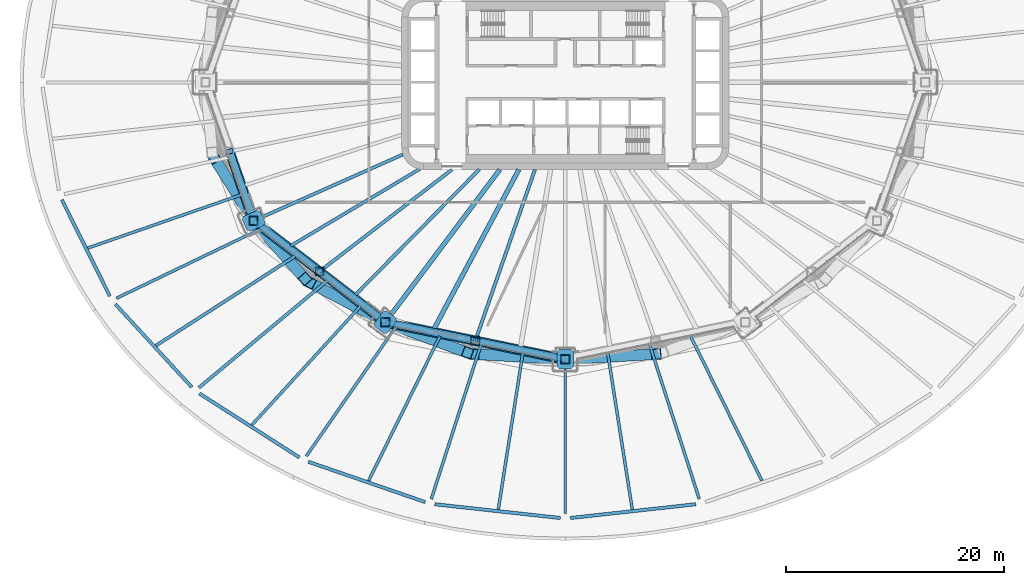
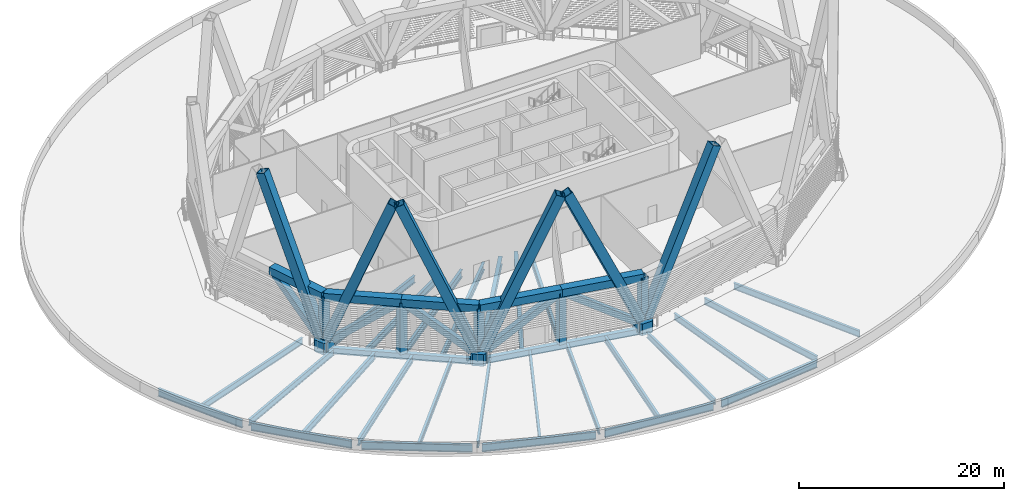
# One storey, part 1 of 27: 28 beams, 24 members.
"""IFC4 building model written with IfcOpenShell, lengths in metres."""

import ifcopenshell
import ifcopenshell.guid

model = None  # the IFC model being written
_history = None  # IfcOwnerHistory: only IFC2X3 demands one
_inside = {}  # id of a spatial element -> (the spatial element, [elements in it])
_under = {}  # id of a project, library or spatial element -> (it, [spatial elements below it])
_declared = {}  # id of a project -> (the project, [libraries it declares])
_typed = {}  # id of a type object -> (the type object, [elements of that type])
_made_of = {}  # id of a material, layer set ... -> (it, [elements and type objects made of it])


def new_model(schema):
    """Start an empty IFC model of exactly this schema.

    Asked for "IFC4X3", IfcOpenShell would pick the latest addendum, in which some entities
    have other attributes; the version numbers below select the first issue.
    IFC2X3 requires an IfcOwnerHistory on every rooted entity: one is made here for all.
    """
    global model, _history
    if schema == "IFC4X3":
        model = ifcopenshell.file(schema_version=(4, 3, 0, 0))
    else:
        model = ifcopenshell.file(schema=schema)
    _inside.clear()
    _under.clear()
    _declared.clear()
    _typed.clear()
    _made_of.clear()
    _history = None
    if model.schema == "IFC2X3":
        org = make("IfcOrganization", Name="unknown")
        user = make(
            "IfcPersonAndOrganization",
            ThePerson=make("IfcPerson", FamilyName="unknown"),
            TheOrganization=org,
        )
        app = make(
            "IfcApplication",
            ApplicationDeveloper=org,
            Version="unknown",
            ApplicationFullName="unknown",
            ApplicationIdentifier="unknown",
        )
        _history = make(
            "IfcOwnerHistory",
            OwningUser=user,
            OwningApplication=app,
            ChangeAction="ADDED",
            CreationDate=0,
        )
    return model


def make(cls, **values):
    """One entity of the class cls with the attributes given. An attribute that is None is left unset."""
    return model.create_entity(
        cls, **{name: value for name, value in values.items() if value is not None}
    )


def rooted(cls, **values):
    """An entity with a GlobalId (a new one), such as an element, a storey or a relation."""
    return make(cls, GlobalId=ifcopenshell.guid.new(), OwnerHistory=_history, **values)


def si_unit(unit_type, name, prefix=None):
    """IfcSIUnit, for example si_unit("LENGTHUNIT", "METRE", prefix="MILLI")."""
    return make("IfcSIUnit", UnitType=unit_type, Prefix=prefix, Name=name)


def assignment(units):
    """IfcUnitAssignment: the units of a project."""
    return None if units is None else make("IfcUnitAssignment", Units=units)


def point(xyz):
    """IfcCartesianPoint."""
    return None if xyz is None else make("IfcCartesianPoint", Coordinates=xyz)


def direction(xyz):
    """IfcDirection."""
    return None if xyz is None else make("IfcDirection", DirectionRatios=xyz)


def frame(location, z_axis=None, x_axis=None):
    """IfcAxis2Placement3D, a coordinate frame: its origin and axes. An axis left out is left unset."""
    return make(
        "IfcAxis2Placement3D",
        Location=point(location),
        Axis=direction(z_axis),
        RefDirection=direction(x_axis),
    )


def frame_2d(location, x_axis=None):
    """IfcAxis2Placement2D, a coordinate frame in the plane: its origin and x axis."""
    return make(
        "IfcAxis2Placement2D", Location=point(location), RefDirection=direction(x_axis)
    )


def origin():
    """The frame at (0, 0, 0) with its axes left unset."""
    return frame((0.0, 0.0, 0.0))


def origin_2d():
    """The frame at (0, 0) in the plane with its x axis left unset."""
    return frame_2d((0.0, 0.0))


def place(relative_to, where):
    """IfcLocalPlacement: puts the frame where relative to a parent placement (None: the world)."""
    return make(
        "IfcLocalPlacement", PlacementRelTo=relative_to, RelativePlacement=where
    )


def context(
    kind, dimensions, precision=None, world=None, true_north=None, identifier=None
):
    """IfcGeometricRepresentationContext, for example the 3D "Model" context."""
    return make(
        "IfcGeometricRepresentationContext",
        ContextIdentifier=identifier,
        ContextType=kind,
        CoordinateSpaceDimension=dimensions,
        Precision=precision,
        WorldCoordinateSystem=world,
        TrueNorth=true_north,
    )


def subcontext(parent, identifier, kind, view, scale=None):
    """IfcGeometricRepresentationSubContext, for example "Body" below "Model"."""
    return make(
        "IfcGeometricRepresentationSubContext",
        ContextIdentifier=identifier,
        ContextType=kind,
        ParentContext=parent,
        TargetScale=scale,
        TargetView=view,
    )


def project(units=None, contexts=None):
    """IfcProject with its units and contexts."""
    return rooted(
        "IfcProject",
        Name="project",
        RepresentationContexts=contexts,
        UnitsInContext=assignment(units),
    )


def spatial(cls, under=None, at=None, **own):
    """A site, building, storey or space (cls), placed at a placement, below another one or the project."""
    s = rooted(cls, ObjectPlacement=at, **own)
    if under is not None:
        _under.setdefault(under.id(), (under, []))[1].append(s)
    return s


def polyline(points):
    """IfcPolyline through the points."""
    return make("IfcPolyline", Points=[point(p) for p in points])


def profile(cls, at=None, kind="AREA", **sizes):
    """A parametric profile (cls). Its sizes go by their IFC names, for example OverallWidth=200.0."""
    return make(cls, ProfileType=kind, Position=at, **sizes)


def hollow_rectangle(**sizes):
    """IfcRectangleHollowProfileDef."""
    return profile("IfcRectangleHollowProfileDef", **sizes)


def i_section(**sizes):
    """IfcIShapeProfileDef."""
    return profile("IfcIShapeProfileDef", **sizes)


def outline(outer, holes=None, kind="AREA"):
    """IfcArbitraryClosedProfileDef: a profile drawn as a closed curve; with holes, ...WithVoids."""
    if holes is None:
        return make("IfcArbitraryClosedProfileDef", ProfileType=kind, OuterCurve=outer)
    return make(
        "IfcArbitraryProfileDefWithVoids",
        ProfileType=kind,
        OuterCurve=outer,
        InnerCurves=holes,
    )


def extrude(swept, where, along, depth):
    """IfcExtrudedAreaSolid: the profile swept, set in the frame where, extruded along a direction by depth."""
    return make(
        "IfcExtrudedAreaSolid",
        SweptArea=swept,
        Position=where,
        ExtrudedDirection=direction(along),
        Depth=depth,
    )


def shape(context_of_items, identifier, shape_type, items):
    """IfcShapeRepresentation: the items that make up one representation, for example the "Body"."""
    return make(
        "IfcShapeRepresentation",
        ContextOfItems=context_of_items,
        RepresentationIdentifier=identifier,
        RepresentationType=shape_type,
        Items=items,
    )


def material(Name=None, Category=None):
    """IfcMaterial."""
    return make("IfcMaterial", Name=Name, Category=Category)


def material_profile(
    of_material, cross_section, Name=None, Category=None, Priority=None
):
    """IfcMaterialProfile: a cross section and its material."""
    return make(
        "IfcMaterialProfile",
        Name=Name,
        Material=of_material,
        Profile=cross_section,
        Priority=Priority,
        Category=Category,
    )


def profile_set(profiles, Name=None, composite=None):
    """IfcMaterialProfileSet."""
    return make(
        "IfcMaterialProfileSet",
        Name=Name,
        MaterialProfiles=profiles,
        CompositeProfile=composite,
    )


def made_of(thing, what):
    """Note that an element or type object is made of a material, layer set ...; save() writes the relation."""
    if what is not None:
        _made_of.setdefault(what.id(), (what, []))[1].append(thing)
    return thing


def type_object(cls, material=None, **own):
    """A type object (cls), such as IfcWallType, which elements share."""
    return made_of(rooted(cls, **own), material)


def element(
    cls,
    number,
    at=None,
    inside=None,
    cuts=None,
    type_object=None,
    material=None,
    context=None,
    identifier="Body",
    shape_type=None,
    held_by="IfcProductDefinitionShape",
    body=None,
    shapes=None,
    **own,
):
    """One element of the class cls, such as IfcWall. Its Tag is "e" and its number.

    at: its placement. inside: the storey or other place that contains it. cuts: it is an
    opening in that element (IfcRelVoidsElement). A single representation is given by context,
    identifier, shape_type and body (its items); several are given by shapes. held_by: the class
    of the entity that holds the representations. save() writes the other relations.
    """
    e = rooted(cls, Tag="e%d" % number, ObjectPlacement=at, **own)
    if body is not None:
        shapes = [shape(context, identifier, shape_type, body)]
    if shapes is not None:
        e.Representation = make(held_by, Representations=shapes)
    if inside is not None:
        _inside.setdefault(inside.id(), (inside, []))[1].append(e)
    if cuts is not None:
        rooted(
            "IfcRelVoidsElement", RelatingBuildingElement=cuts, RelatedOpeningElement=e
        )
    if type_object is not None:
        _typed.setdefault(type_object.id(), (type_object, []))[1].append(e)
    return made_of(e, material)


def aggregate(whole, parts):
    """IfcRelAggregates: a whole, such as a stair, and the parts it consists of."""
    return rooted("IfcRelAggregates", RelatingObject=whole, RelatedObjects=parts)


def save(model, path):
    """Write the relations noted so far, then the file.

    IfcRelAggregates (storeys below a building ...), IfcRelContainedInSpatialStructure (elements
    in a storey), IfcRelDefinesByType, IfcRelAssociatesMaterial and IfcRelDeclares: one each for
    every whole, place, type object, material and project.
    """
    for whole, parts in _under.values():
        aggregate(whole, parts)
    for where, things in _inside.values():
        rooted(
            "IfcRelContainedInSpatialStructure",
            RelatedElements=things,
            RelatingStructure=where,
        )
    for kind, things in _typed.values():
        rooted("IfcRelDefinesByType", RelatedObjects=things, RelatingType=kind)
    for what, things in _made_of.values():
        rooted("IfcRelAssociatesMaterial", RelatedObjects=things, RelatingMaterial=what)
    for by, libraries in _declared.values():
        rooted("IfcRelDeclares", RelatingContext=by, RelatedDefinitions=libraries)
    model.write(path)


model = new_model("IFC4")

# Units and contexts
model_context = context("Model", 3, precision=1e-05, world=origin(), true_north=direction((0.0, 1.0)))
body_context = subcontext(model_context, "Body", "Model", "MODEL_VIEW")
ifc_project = project(units=[si_unit("LENGTHUNIT", "METRE"), si_unit("AREAUNIT", "SQUARE_METRE"), si_unit("VOLUMEUNIT", "CUBIC_METRE"), si_unit("PLANEANGLEUNIT", "RADIAN"), si_unit("MASSUNIT", "GRAM", prefix="KILO")], contexts=[model_context])

# Site, building, storey
site_placement = place(None, origin())
site = spatial("IfcSite", under=ifc_project, at=site_placement, CompositionType="ELEMENT")
building_placement = place(site_placement, origin())
building = spatial("IfcBuilding", under=site, at=building_placement, Name="Sahrelin Media Tower", CompositionType="ELEMENT")
storey_placement = place(building_placement, frame((0.0, 0.0, 44.0)))
storey = spatial("IfcBuildingStorey", under=building, at=storey_placement, Name="L06", CompositionType="ELEMENT", Elevation=44.0)

# Members
ifc_material_1 = material(Name="Steel S460", Category="steel")
ifc_material_profile_1 = material_profile(ifc_material_1, hollow_rectangle(XDim=1.0, YDim=1.0, WallThickness=0.06005859375, at=origin_2d()), Name="Diagrid diagonal DG1")
ifc_profile_set_1 = profile_set([ifc_material_profile_1], Name="Steel S460")
member_type_1 = type_object("IfcMemberType", Name="Diagrid diagonal DG1", PredefinedType="BRACE", material=ifc_profile_set_1)
member_1_placement = place(storey_placement, frame((-28.7177734375, -12.477783203125, 0.699951171875), z_axis=(-0.185846162703, 0.297145993243, 0.936571119835), x_axis=(-0.847831661927, -0.530265474111, 0.0)))
element("IfcMember", 1, at=member_1_placement, inside=storey, type_object=member_type_1, Name="Diagrid diagonal D00-13", PredefinedType="BRACE", context=body_context, shape_type="SweptSolid", body=[
    extrude(hollow_rectangle(XDim=1.0, YDim=1.0, WallThickness=0.06005859375, at=origin_2d()), origin(), (0.0, 0.0, 1.0), 18.7919921875),
])
member_2_placement = place(storey_placement, frame((-28.3984375, -12.903564453125, 0.699951171875), z_axis=(0.240263742988, -0.271151655704, 0.932067654955), x_axis=(0.748449999211, 0.663191223314, 0.0)))
element("IfcMember", 2, at=member_2_placement, inside=storey, type_object=member_type_1, Name="Diagrid diagonal D00-14", PredefinedType="BRACE", context=body_context, shape_type="SweptSolid", body=[
    extrude(hollow_rectangle(XDim=1.0, YDim=1.0, WallThickness=0.06005859375, at=origin_2d()), origin(), (0.0, 0.0, 1.0), 18.8828125),
])
member_3_placement = place(storey_placement, frame((-16.7646484375, -21.858154296875, 0.699951171875), z_axis=(-0.347601060043, 0.182475884966, 0.91971520291), x_axis=(-0.464804602076, -0.885413283099, 0.0)))
element("IfcMember", 3, at=member_3_placement, inside=storey, type_object=member_type_1, Name="Diagrid diagonal D00-15", PredefinedType="BRACE", context=body_context, shape_type="SweptSolid", body=[
    extrude(hollow_rectangle(XDim=1.0, YDim=1.0, WallThickness=0.06005859375, at=origin_2d()), origin(), (0.0, 0.0, 1.0), 19.136474609375),
])
member_4_placement = place(storey_placement, frame((-16.21142578125, -22.10400390625, 0.699951171875), z_axis=(0.377355512755, -0.139825735326, 0.915451572031), x_axis=(0.347455151629, 0.937696602109, 0.0)))
element("IfcMember", 4, at=member_4_placement, inside=storey, type_object=member_type_1, Name="Diagrid diagonal D00-16", PredefinedType="BRACE", context=body_context, shape_type="SweptSolid", body=[
    extrude(hollow_rectangle(XDim=1.0, YDim=1.0, WallThickness=0.06005859375, at=origin_2d()), origin(), (0.0, 0.0, 1.0), 19.2255859375),
])
for number, where, z_axis, x_axis, name in (
    (5, (-0.3193359375, -25.381591796875, 0.699951171875), (-0.414936366893, 0.023984250592, 0.909534258372), (-0.057705917702, -0.998333625129, 0.0), "Diagrid diagonal D00-17"),
    (6, (0.3193359375, -25.381591796875, 0.699951171875), (0.414936366893, 0.023984250592, 0.909534258372), (-0.057705917702, 0.998333625129, 0.0), "Diagrid diagonal D00-18"),
):
    element("IfcMember", number, at=place(storey_placement, frame(where, z_axis=z_axis, x_axis=x_axis)), inside=storey, type_object=member_type_1, Name=name, PredefinedType="BRACE", context=body_context, shape_type="SweptSolid", body=[
        extrude(hollow_rectangle(XDim=1.0, YDim=1.0, WallThickness=0.06005859375, at=origin_2d()), origin(), (0.0, 0.0, 1.0), 19.3505859375),
    ])
ifc_material_profile_2 = material_profile(ifc_material_1, outline(polyline([(0.699951171875, -0.75), (0.89990234375, -0.550048828125), (0.89990234375, 0.550048828125), (0.699951171875, 0.75), (-0.699951171875, 0.75), (-0.89990234375, 0.550048828125), (-0.89990234375, -0.550048828125), (-0.699951171875, -0.75), (0.699951171875, -0.75)])), Name="Diagrid node block 1800")
ifc_profile_set_2 = profile_set([ifc_material_profile_2], Name="Steel S460")
member_type_2 = type_object("IfcMemberType", Name="Diagrid node block 1800", PredefinedType="USERDEFINED", material=ifc_profile_set_2)
for number, where, z_axis, x_axis, name in (
    (7, (-28.578857421875, -12.699951171875, -0.699951171875), (0.0, 0.0, 1.0), (-0.913831317054, -0.40609398416, 0.0), "Diagrid node N00-07"),
    (8, (-16.5, -21.9970703125, -0.699951171875), (0.0, 0.0, 1.0), (-0.600051693363, -0.799961227368, 0.0), "Diagrid node N00-08"),
    (9, (0.0, -25.39990234375, -0.699951171875), (0.0, 0.0, 1.0), (0.0, -1.0, 0.0), "Diagrid node N00-09"),
):
    element("IfcMember", number, at=place(storey_placement, frame(where, z_axis=z_axis, x_axis=x_axis)), inside=storey, type_object=member_type_2, Name=name, ObjectType="NODE", PredefinedType="USERDEFINED", context=body_context, shape_type="SweptSolid", body=[
        extrude(outline(polyline([(0.699951171875, -0.75), (0.89990234375, -0.550048828125), (0.89990234375, 0.550048828125), (0.699951171875, 0.75), (-0.699951171875, 0.75), (-0.89990234375, 0.550048828125), (-0.89990234375, -0.550048828125), (-0.699951171875, -0.75), (0.699951171875, -0.75)])), origin(), (0.0, 0.0, 1.0), 1.39990234375),
    ])

# Beams
ifc_material_profile_3 = material_profile(ifc_material_1, hollow_rectangle(XDim=0.5, YDim=0.699951171875, WallThickness=0.034912109375, at=origin_2d()), Name="Diagrid ring beam RB2")
ifc_profile_set_3 = profile_set([ifc_material_profile_3], Name="Steel S460")
beam_type_1 = type_object("IfcBeamType", Name="Diagrid ring beam RB2", PredefinedType="BEAM", material=ifc_profile_set_3)
beam_1_placement = place(storey_placement, frame((-28.578857421875, -12.699951171875, -0.699951171875), z_axis=(0.792443539308, -0.609945273782, 0.0), x_axis=(0.609945273782, 0.792443539308, 0.0)))
element("IfcBeam", 10, at=beam_1_placement, inside=storey, type_object=beam_type_1, Name="Diagrid ring beam RB00-07", PredefinedType="BEAM", context=body_context, shape_type="SweptSolid", body=[
    extrude(hollow_rectangle(XDim=0.5, YDim=0.699951171875, WallThickness=0.034912109375, at=origin_2d()), origin(), (0.0, 0.0, 1.0), 15.242431640625),
])
beam_2_placement = place(storey_placement, frame((-16.5, -21.9970703125, -0.699951171875), z_axis=(0.979389305257, -0.201981654484, 0.0), x_axis=(0.201981654484, 0.979389305257, 0.0)))
element("IfcBeam", 11, at=beam_2_placement, inside=storey, type_object=beam_type_1, Name="Diagrid ring beam RB00-08", PredefinedType="BEAM", context=body_context, shape_type="SweptSolid", body=[
    extrude(hollow_rectangle(XDim=0.5, YDim=0.699951171875, WallThickness=0.034912109375, at=origin_2d()), origin(), (0.0, 0.0, 1.0), 16.84716796875),
])
ifc_material_2 = material(Name="Steel S355", Category="steel")
ifc_material_profile_4 = material_profile(ifc_material_2, i_section(OverallWidth=0.30322265625, OverallDepth=0.903076171875, WebThickness=0.01513671875, FlangeThickness=0.020263671875, FilletRadius=0.01904296875, at=origin_2d()), Name="UB 914x305x201")
ifc_profile_set_4 = profile_set([ifc_material_profile_4], Name="Steel S355")
beam_type_2 = type_object("IfcBeamType", Name="Podium edge girder PE11", PredefinedType="BEAM", material=ifc_profile_set_4)
beam_3_placement = place(storey_placement, frame((-46.158203125, -10.767822265625, -0.801513671875), z_axis=(0.445112588569, -0.895474613541, 0.0), x_axis=(0.895474613541, 0.445112588569, 0.0)))
element("IfcBeam", 12, at=beam_3_placement, inside=storey, type_object=beam_type_2, Name="Podium edge girder L06-14", PredefinedType="BEAM", context=body_context, shape_type="SweptSolid", body=[
    extrude(i_section(OverallWidth=0.30322265625, OverallDepth=0.903076171875, WebThickness=0.01513671875, FlangeThickness=0.020263671875, FilletRadius=0.01904296875, at=origin_2d()), origin(), (0.0, 0.0, 1.0), 9.859619140625),
])
beam_4_placement = place(storey_placement, frame((-41.25048828125, -20.34619140625, -0.801513671875), z_axis=(0.677370529771, -0.735642008995, 0.0), x_axis=(0.735642008995, 0.677370529771, 0.0)))
element("IfcBeam", 13, at=beam_4_placement, inside=storey, type_object=beam_type_2, Name="Podium edge girder L06-15", PredefinedType="BEAM", context=body_context, shape_type="SweptSolid", body=[
    extrude(i_section(OverallWidth=0.30322265625, OverallDepth=0.903076171875, WebThickness=0.01513671875, FlangeThickness=0.020263671875, FilletRadius=0.01904296875, at=origin_2d()), origin(), (0.0, 0.0, 1.0), 10.340087890625),
])
beam_5_placement = place(storey_placement, frame((-33.54345703125, -28.53857421875, -0.801513671875), z_axis=(0.842485743715, -0.538718638657, 0.0), x_axis=(0.538718638657, 0.842485743715, 0.0)))
element("IfcBeam", 14, at=beam_5_placement, inside=storey, type_object=beam_type_2, Name="Podium edge girder L06-16", PredefinedType="BEAM", context=body_context, shape_type="SweptSolid", body=[
    extrude(i_section(OverallWidth=0.30322265625, OverallDepth=0.903076171875, WebThickness=0.01513671875, FlangeThickness=0.020263671875, FilletRadius=0.01904296875, at=origin_2d()), origin(), (0.0, 0.0, 1.0), 10.87744140625),
])
beam_6_placement = place(storey_placement, frame((-23.55810546875, -34.79345703125, -0.801513671875), z_axis=(0.94527240249, -0.32628221694, 0.0), x_axis=(0.32628221694, 0.94527240249, 0.0)))
element("IfcBeam", 15, at=beam_6_placement, inside=storey, type_object=beam_type_2, Name="Podium edge girder L06-17", PredefinedType="BEAM", context=body_context, shape_type="SweptSolid", body=[
    extrude(i_section(OverallWidth=0.30322265625, OverallDepth=0.903076171875, WebThickness=0.01513671875, FlangeThickness=0.020263671875, FilletRadius=0.01904296875, at=origin_2d()), origin(), (0.0, 0.0, 1.0), 11.329345703125),
])
for number, where, z_axis, x_axis, name in (
    (16, (-11.966796875, -38.68701171875, -0.801513671875), (0.994034160473, -0.109069188193, 0.0), (0.109069188193, 0.994034160473, 0.0), "Podium edge girder L06-18"),
    (17, (0.449951171875, -39.95068359375, -0.801513671875), (0.994034160473, 0.109069188193, 0.0), (-0.109069188193, 0.994034160473, 0.0), "Podium edge girder L06-19"),
):
    element("IfcBeam", number, at=place(storey_placement, frame(where, z_axis=z_axis, x_axis=x_axis)), inside=storey, type_object=beam_type_2, Name=name, PredefinedType="BEAM", context=body_context, shape_type="SweptSolid", body=[
        extrude(i_section(OverallWidth=0.30322265625, OverallDepth=0.903076171875, WebThickness=0.01513671875, FlangeThickness=0.020263671875, FilletRadius=0.01904296875, at=origin_2d()), origin(), (0.0, 0.0, 1.0), 11.5859375),
    ])
ifc_material_profile_5 = material_profile(ifc_material_2, i_section(OverallWidth=0.291748046875, OverallDepth=0.8349609375, WebThickness=0.013916015625, FlangeThickness=0.018798828125, FilletRadius=0.017822265625, at=origin_2d()), Name="UB 838x292x176")
ifc_profile_set_5 = profile_set([ifc_material_profile_5], Name="Steel S355")
beam_type_3 = type_object("IfcBeamType", Name="Radial primary beam PB10", PredefinedType="BEAM", material=ifc_profile_set_5)
beam_7_placement = place(storey_placement, frame((-14.890625, -6.6171875, -0.767578125), z_axis=(-0.913833000058, -0.406090196883, 0.0), x_axis=(0.406090196883, -0.913833000058, 0.0)))
element("IfcBeam", 18, at=beam_7_placement, inside=storey, type_object=beam_type_3, Name="Radial beam L06-15", PredefinedType="BEAM", context=body_context, shape_type="SweptSolid", body=[
    extrude(i_section(OverallWidth=0.291748046875, OverallDepth=0.8349609375, WebThickness=0.013916015625, FlangeThickness=0.018798828125, FilletRadius=0.017822265625, at=origin_2d()), origin(), (0.0, 0.0, 1.0), 14.078857421875),
])
beam_8_placement = place(storey_placement, frame((-21.84130859375, -18.201171875, -0.767578125), z_axis=(-0.768227819125, -0.64017655215, 0.0), x_axis=(0.64017655215, -0.768227819125, 0.0)))
element("IfcBeam", 19, at=beam_8_placement, inside=storey, type_object=beam_type_3, Name="Radial beam L06-16", PredefinedType="BEAM", context=body_context, shape_type="SweptSolid", body=[
    extrude(i_section(OverallWidth=0.291748046875, OverallDepth=0.8349609375, WebThickness=0.013916015625, FlangeThickness=0.018798828125, FilletRadius=0.017822265625, at=origin_2d()), origin(), (0.0, 0.0, 1.0), 15.30029296875),
])
ifc_material_profile_6 = material_profile(ifc_material_2, i_section(OverallWidth=0.30322265625, OverallDepth=0.903076171875, WebThickness=0.01513671875, FlangeThickness=0.020263671875, FilletRadius=0.01904296875, at=origin_2d()), Name="UB 914x305x201")
ifc_profile_set_6 = profile_set([ifc_material_profile_6], Name="Steel S355")
beam_type_4 = type_object("IfcBeamType", Name="Radial primary beam PB11", PredefinedType="BEAM", material=ifc_profile_set_6)
beam_9_placement = place(storey_placement, frame((-10.393798828125, -8.0, -0.801513671875), z_axis=(-0.792438439057, -0.609951899993, 0.0), x_axis=(0.609951899993, -0.792438439057, 0.0)))
element("IfcBeam", 20, at=beam_9_placement, inside=storey, type_object=beam_type_4, Name="Radial beam L06-16", PredefinedType="BEAM", context=body_context, shape_type="SweptSolid", body=[
    extrude(i_section(OverallWidth=0.30322265625, OverallDepth=0.903076171875, WebThickness=0.01513671875, FlangeThickness=0.020263671875, FilletRadius=0.01904296875, at=origin_2d()), origin(), (0.0, 0.0, 1.0), 15.068359375),
])
beam_10_placement = place(storey_placement, frame((-2.784912109375, -8.0, -0.801513671875), z_axis=(-0.328772234599, -0.944409242731, 0.0), x_axis=(0.944409242731, -0.328772234599, 0.0)))
element("IfcBeam", 21, at=beam_10_placement, inside=storey, type_object=beam_type_4, Name="Radial beam L06-18", PredefinedType="BEAM", context=body_context, shape_type="SweptSolid", body=[
    extrude(i_section(OverallWidth=0.30322265625, OverallDepth=0.903076171875, WebThickness=0.01513671875, FlangeThickness=0.020263671875, FilletRadius=0.01904296875, at=origin_2d()), origin(), (0.0, 0.0, 1.0), 16.3701171875),
])
ifc_material_profile_7 = material_profile(ifc_material_2, i_section(OverallWidth=0.41845703125, OverallDepth=0.911865234375, WebThickness=0.019287109375, FlangeThickness=0.031982421875, FilletRadius=0.024169921875, at=origin_2d()), Name="UB 914x419x343")
ifc_profile_set_7 = profile_set([ifc_material_profile_7], Name="Steel S355")
beam_type_5 = type_object("IfcBeamType", Name="Radial primary beam PB12", PredefinedType="BEAM", material=ifc_profile_set_7)
beam_11_placement = place(storey_placement, frame((-6.000732421875, -8.0, -0.805908203125), z_axis=(-0.600054130443, -0.799959399306, 0.0), x_axis=(0.799959399306, -0.600054130443, 0.0)))
element("IfcBeam", 22, at=beam_11_placement, inside=storey, type_object=beam_type_5, Name="Radial beam L06-17", PredefinedType="BEAM", context=body_context, shape_type="SweptSolid", body=[
    extrude(i_section(OverallWidth=0.41845703125, OverallDepth=0.911865234375, WebThickness=0.019287109375, FlangeThickness=0.031982421875, FilletRadius=0.024169921875, at=origin_2d()), origin(), (0.0, 0.0, 1.0), 16.59716796875),
])
ifc_material_profile_8 = material_profile(ifc_material_2, i_section(OverallWidth=0.2529296875, OverallDepth=0.677978515625, WebThickness=0.01171875, FlangeThickness=0.01611328125, FilletRadius=0.01513671875, at=origin_2d()), Name="UB 686x254x125")
ifc_profile_set_8 = profile_set([ifc_material_profile_8], Name="Steel S355")
beam_type_6 = type_object("IfcBeamType", Name="Radial primary beam PB8", PredefinedType="BEAM", material=ifc_profile_set_8)
beam_12_placement = place(storey_placement, frame((0.0, -26.300048828125, -0.68896484375), z_axis=(0.0, -1.0, 0.0), x_axis=(1.0, 0.0, 0.0)))
element("IfcBeam", 23, at=beam_12_placement, inside=storey, type_object=beam_type_6, Name="Radial beam L06-19", PredefinedType="BEAM", context=body_context, shape_type="SweptSolid", body=[
    extrude(i_section(OverallWidth=0.2529296875, OverallDepth=0.677978515625, WebThickness=0.01171875, FlangeThickness=0.01611328125, FilletRadius=0.01513671875, at=origin_2d()), origin(), (0.0, 0.0, 1.0), 13.25),
])
ifc_material_profile_9 = material_profile(ifc_material_2, i_section(OverallWidth=0.26513671875, OverallDepth=0.75390625, WebThickness=0.0126953125, FlangeThickness=0.017578125, FilletRadius=0.0166015625, at=origin_2d()), Name="UB 762x267x147")
ifc_profile_set_9 = profile_set([ifc_material_profile_9], Name="Steel S355")
beam_type_7 = type_object("IfcBeamType", Name="Radial primary beam PB9", PredefinedType="BEAM", material=ifc_profile_set_9)
beam_13_placement = place(storey_placement, frame((-27.99169921875, -13.467529296875, -0.72705078125), z_axis=(-0.901128087536, -0.433552960841, 0.0), x_axis=(0.433552960841, -0.901128087536, 0.0)))
element("IfcBeam", 24, at=beam_13_placement, inside=storey, type_object=beam_type_7, Name="Radial beam L06-15", PredefinedType="BEAM", context=body_context, shape_type="SweptSolid", body=[
    extrude(i_section(OverallWidth=0.26513671875, OverallDepth=0.75390625, WebThickness=0.0126953125, FlangeThickness=0.017578125, FilletRadius=0.0166015625, at=origin_2d()), origin(), (0.0, 0.0, 1.0), 14.617431640625),
])
beam_14_placement = place(storey_placement, frame((-15.55224609375, -22.44775390625, -0.72705078125), z_axis=(-0.569495914452, -0.821994162645, 0.0), x_axis=(0.821994162645, -0.569495914452, 0.0)))
element("IfcBeam", 25, at=beam_14_placement, inside=storey, type_object=beam_type_7, Name="Radial beam L06-17", PredefinedType="BEAM", context=body_context, shape_type="SweptSolid", body=[
    extrude(i_section(OverallWidth=0.26513671875, OverallDepth=0.75390625, WebThickness=0.0126953125, FlangeThickness=0.017578125, FilletRadius=0.0166015625, at=origin_2d()), origin(), (0.0, 0.0, 1.0), 14.383544921875),
])
for number, where, z_axis, x_axis, name in (
    (26, (-7.736083984375, -24.059814453125, -0.72705078125), (-0.306117121869, -0.951993859066, 0.0), (0.951993859066, -0.306117121869, 0.0), "Radial beam L06-18"),
    (27, (7.736083984375, -24.059814453125, -0.72705078125), (0.306117121869, -0.951993859066, 0.0), (0.951993859066, 0.306117121869, 0.0), "Radial beam L06-20"),
):
    element("IfcBeam", number, at=place(storey_placement, frame(where, z_axis=z_axis, x_axis=x_axis)), inside=storey, type_object=beam_type_7, Name=name, PredefinedType="BEAM", context=body_context, shape_type="SweptSolid", body=[
        extrude(i_section(OverallWidth=0.26513671875, OverallDepth=0.75390625, WebThickness=0.0126953125, FlangeThickness=0.017578125, FilletRadius=0.0166015625, at=origin_2d()), origin(), (0.0, 0.0, 1.0), 14.862060546875),
    ])
ifc_material_profile_10 = material_profile(ifc_material_2, i_section(OverallWidth=0.291748046875, OverallDepth=0.8349609375, WebThickness=0.013916015625, FlangeThickness=0.018798828125, FilletRadius=0.017822265625, at=origin_2d()), Name="UB 838x292x176")
ifc_profile_set_10 = profile_set([ifc_material_profile_10], Name="Steel S355")
beam_type_8 = type_object("IfcBeamType", Name="Radial secondary beam SB10", PredefinedType="BEAM", material=ifc_profile_set_10)
beam_15_placement = place(storey_placement, frame((-13.356201171875, -7.953125, -0.767578125), z_axis=(-0.859201566627, -0.511637242493, 0.0), x_axis=(0.511637242493, -0.859201566627, 0.0)))
element("IfcBeam", 28, at=beam_15_placement, inside=storey, type_object=beam_type_8, Name="Secondary beam L06-15", PredefinedType="BEAM", context=body_context, shape_type="SweptSolid", body=[
    extrude(i_section(OverallWidth=0.291748046875, OverallDepth=0.8349609375, WebThickness=0.013916015625, FlangeThickness=0.018798828125, FilletRadius=0.017822265625, at=origin_2d()), origin(), (0.0, 0.0, 1.0), 13.76708984375),
])
beam_16_placement = place(storey_placement, frame((-24.780517578125, -15.93896484375, -0.767578125), z_axis=(-0.841044109841, -0.540966547304, 0.0), x_axis=(0.540966547304, -0.841044109841, 0.0)))
element("IfcBeam", 29, at=beam_16_placement, inside=storey, type_object=beam_type_8, Name="Secondary beam L06-15", PredefinedType="BEAM", context=body_context, shape_type="SweptSolid", body=[
    extrude(i_section(OverallWidth=0.291748046875, OverallDepth=0.8349609375, WebThickness=0.013916015625, FlangeThickness=0.018798828125, FilletRadius=0.017822265625, at=origin_2d()), origin(), (0.0, 0.0, 1.0), 15.175048828125),
])
ifc_material_profile_11 = material_profile(ifc_material_2, i_section(OverallWidth=0.30322265625, OverallDepth=0.903076171875, WebThickness=0.01513671875, FlangeThickness=0.020263671875, FilletRadius=0.01904296875, at=origin_2d()), Name="UB 914x305x201")
ifc_profile_set_11 = profile_set([ifc_material_profile_11], Name="Steel S355")
beam_type_9 = type_object("IfcBeamType", Name="Radial secondary beam SB11", PredefinedType="BEAM", material=ifc_profile_set_11)
beam_17_placement = place(storey_placement, frame((-7.901123046875, -8.0, -0.801513671875), z_axis=(-0.702710295219, -0.711476100085, 0.0), x_axis=(0.711476100085, -0.702710295219, 0.0)))
element("IfcBeam", 30, at=beam_17_placement, inside=storey, type_object=beam_type_9, Name="Secondary beam L06-16", PredefinedType="BEAM", context=body_context, shape_type="SweptSolid", body=[
    extrude(i_section(OverallWidth=0.30322265625, OverallDepth=0.903076171875, WebThickness=0.01513671875, FlangeThickness=0.020263671875, FilletRadius=0.01904296875, at=origin_2d()), origin(), (0.0, 0.0, 1.0), 16.20947265625),
])
ifc_material_profile_12 = material_profile(ifc_material_2, i_section(OverallWidth=0.41845703125, OverallDepth=0.911865234375, WebThickness=0.019287109375, FlangeThickness=0.031982421875, FilletRadius=0.024169921875, at=origin_2d()), Name="UB 914x419x343")
ifc_profile_set_12 = profile_set([ifc_material_profile_12], Name="Steel S355")
beam_type_10 = type_object("IfcBeamType", Name="Radial secondary beam SB12", PredefinedType="BEAM", material=ifc_profile_set_12)
beam_18_placement = place(storey_placement, frame((-4.259765625, -8.0, -0.805908203125), z_axis=(-0.469997464364, -0.882667765069, 0.0), x_axis=(0.882667765069, -0.469997464364, 0.0)))
element("IfcBeam", 31, at=beam_18_placement, inside=storey, type_object=beam_type_10, Name="Secondary beam L06-17", PredefinedType="BEAM", context=body_context, shape_type="SweptSolid", body=[
    extrude(i_section(OverallWidth=0.41845703125, OverallDepth=0.911865234375, WebThickness=0.019287109375, FlangeThickness=0.031982421875, FilletRadius=0.024169921875, at=origin_2d()), origin(), (0.0, 0.0, 1.0), 16.604736328125),
])
ifc_material_profile_13 = material_profile(ifc_material_2, i_section(OverallWidth=0.26513671875, OverallDepth=0.75390625, WebThickness=0.0126953125, FlangeThickness=0.017578125, FilletRadius=0.0166015625, at=origin_2d()), Name="UB 762x267x147")
ifc_profile_set_13 = profile_set([ifc_material_profile_13], Name="Steel S355")
beam_type_11 = type_object("IfcBeamType", Name="Radial secondary beam SB9", PredefinedType="BEAM", material=ifc_profile_set_13)
beam_19_placement = place(storey_placement, frame((-29.6787109375, -10.300537109375, -0.72705078125), z_axis=(-0.944715588779, -0.32789092137, 0.0), x_axis=(0.32789092137, -0.944715588779, 0.0)))
element("IfcBeam", 32, at=beam_19_placement, inside=storey, type_object=beam_type_11, Name="Secondary beam L06-14", PredefinedType="BEAM", context=body_context, shape_type="SweptSolid", body=[
    extrude(i_section(OverallWidth=0.26513671875, OverallDepth=0.75390625, WebThickness=0.0126953125, FlangeThickness=0.017578125, FilletRadius=0.0166015625, at=origin_2d()), origin(), (0.0, 0.0, 1.0), 14.93408203125),
])
beam_20_placement = place(storey_placement, frame((-18.796142578125, -20.545166015625, -0.72705078125), z_axis=(-0.675008284326, -0.737810149084, 0.0), x_axis=(0.737810149084, -0.675008284326, 0.0)))
element("IfcBeam", 33, at=beam_20_placement, inside=storey, type_object=beam_type_11, Name="Secondary beam L06-16", PredefinedType="BEAM", context=body_context, shape_type="SweptSolid", body=[
    extrude(i_section(OverallWidth=0.26513671875, OverallDepth=0.75390625, WebThickness=0.0126953125, FlangeThickness=0.017578125, FilletRadius=0.0166015625, at=origin_2d()), origin(), (0.0, 0.0, 1.0), 14.7451171875),
])
beam_21_placement = place(storey_placement, frame((-11.492919921875, -23.284912109375, -0.72705078125), z_axis=(-0.442589481615, -0.896724344915, 0.0), x_axis=(0.896724344915, -0.442589481615, 0.0)))
element("IfcBeam", 34, at=beam_21_placement, inside=storey, type_object=beam_type_11, Name="Secondary beam L06-17", PredefinedType="BEAM", context=body_context, shape_type="SweptSolid", body=[
    extrude(i_section(OverallWidth=0.26513671875, OverallDepth=0.75390625, WebThickness=0.0126953125, FlangeThickness=0.017578125, FilletRadius=0.0166015625, at=origin_2d()), origin(), (0.0, 0.0, 1.0), 14.78125),
])
for number, where, z_axis, x_axis, name in (
    (35, (-3.897216796875, -24.8515625, -0.72705078125), (-0.154917815207, -0.987927360959, 0.0), (0.987927360959, -0.154917815207, 0.0), "Secondary beam L06-18"),
    (36, (3.897216796875, -24.8515625, -0.72705078125), (0.154917815207, -0.987927360959, 0.0), (0.987927360959, 0.154917815207, 0.0), "Secondary beam L06-19"),
):
    element("IfcBeam", number, at=place(storey_placement, frame(where, z_axis=z_axis, x_axis=x_axis)), inside=storey, type_object=beam_type_11, Name=name, PredefinedType="BEAM", context=body_context, shape_type="SweptSolid", body=[
        extrude(i_section(OverallWidth=0.26513671875, OverallDepth=0.75390625, WebThickness=0.0126953125, FlangeThickness=0.017578125, FilletRadius=0.0166015625, at=origin_2d()), origin(), (0.0, 0.0, 1.0), 14.4970703125),
    ])
beam_22_placement = place(storey_placement, frame((11.492919921875, -23.284912109375, -0.72705078125), z_axis=(0.442589481615, -0.896724344915, 0.0), x_axis=(0.896724344915, 0.442589481615, 0.0)))
element("IfcBeam", 37, at=beam_22_placement, inside=storey, type_object=beam_type_11, Name="Secondary beam L06-20", PredefinedType="BEAM", context=body_context, shape_type="SweptSolid", body=[
    extrude(i_section(OverallWidth=0.26513671875, OverallDepth=0.75390625, WebThickness=0.0126953125, FlangeThickness=0.017578125, FilletRadius=0.0166015625, at=origin_2d()), origin(), (0.0, 0.0, 1.0), 14.78125),
])

# Members
ifc_material_profile_14 = material_profile(ifc_material_1, hollow_rectangle(XDim=0.89990234375, YDim=0.89990234375, WallThickness=0.050048828125, at=origin_2d()), Name="Transfer truss chord TC")
ifc_profile_set_14 = profile_set([ifc_material_profile_14], Name="Steel S460")
member_type_3 = type_object("IfcMemberType", Name="Transfer truss chord TC", PredefinedType="CHORD", material=ifc_profile_set_14)
member_5_placement = place(storey_placement, frame((-30.789306640625, -6.35009765625, 5.800048828125), z_axis=(0.328760034477, -0.944413489808, 0.0), x_axis=(0.944413489808, 0.328760034477, 0.0)))
element("IfcMember", 38, at=member_5_placement, inside=storey, type_object=member_type_3, Name="Transfer truss member BT00-06-T2", PredefinedType="CHORD", context=body_context, shape_type="SweptSolid", body=[
    extrude(hollow_rectangle(XDim=0.89990234375, YDim=0.89990234375, WallThickness=0.050048828125, at=origin_2d()), origin(), (0.0, 0.0, 1.0), 6.7236328125),
])
for number, where, z_axis, x_axis, name in (
    (39, (-28.578857421875, -12.699951171875, 5.800048828125), (0.792457239739, -0.60992747371, 0.0), (0.60992747371, 0.792457239739, 0.0), "Transfer truss member BT00-07-T1"),
    (40, (-22.539306640625, -17.348388671875, 5.800048828125), (0.792429838397, -0.609963073651, 0.0), (0.609963073651, 0.792429838397, 0.0), "Transfer truss member BT00-07-T2"),
):
    element("IfcMember", number, at=place(storey_placement, frame(where, z_axis=z_axis, x_axis=x_axis)), inside=storey, type_object=member_type_3, Name=name, PredefinedType="CHORD", context=body_context, shape_type="SweptSolid", body=[
        extrude(hollow_rectangle(XDim=0.89990234375, YDim=0.89990234375, WallThickness=0.050048828125, at=origin_2d()), origin(), (0.0, 0.0, 1.0), 7.621337890625),
    ])
for number, where, z_axis, x_axis, name in (
    (41, (-16.5, -21.9970703125, 5.800048828125), (0.979389305257, -0.201981654484, 0.0), (0.201981654484, 0.979389305257, 0.0), "Transfer truss member BT00-08-T1"),
    (42, (-8.25, -23.698486328125, 5.800048828125), (0.979389305257, -0.201981654484, 0.0), (0.201981654484, 0.979389305257, 0.0), "Transfer truss member BT00-08-T2"),
):
    element("IfcMember", number, at=place(storey_placement, frame(where, z_axis=z_axis, x_axis=x_axis)), inside=storey, type_object=member_type_3, Name=name, PredefinedType="CHORD", context=body_context, shape_type="SweptSolid", body=[
        extrude(hollow_rectangle(XDim=0.89990234375, YDim=0.89990234375, WallThickness=0.050048828125, at=origin_2d()), origin(), (0.0, 0.0, 1.0), 8.423583984375),
    ])
ifc_material_profile_15 = material_profile(ifc_material_1, hollow_rectangle(XDim=0.699951171875, YDim=0.699951171875, WallThickness=0.0400390625, at=origin_2d()), Name="Transfer truss diagonal TD")
ifc_profile_set_15 = profile_set([ifc_material_profile_15], Name="Steel S460")
member_type_4 = type_object("IfcMemberType", Name="Transfer truss diagonal TD", PredefinedType="BRACE", material=ifc_profile_set_15)
member_6_placement = place(storey_placement, frame((-28.826171875, -11.9892578125, 0.649169921875), z_axis=(-0.248946069278, 0.715104627307, 0.653185445793), x_axis=(-0.944409059294, -0.328772761528, 0.0)))
element("IfcMember", 43, at=member_6_placement, inside=storey, type_object=member_type_4, Name="Transfer truss member BT00-06-X2", PredefinedType="BRACE", context=body_context, shape_type="SweptSolid", body=[
    extrude(hollow_rectangle(XDim=0.699951171875, YDim=0.699951171875, WallThickness=0.0400390625, at=origin_2d()), origin(), (0.0, 0.0, 1.0), 7.8857421875),
])
member_7_placement = place(storey_placement, frame((-27.90283203125, -13.22021484375, 0.649169921875), z_axis=(0.630606953825, -0.485362692076, 0.605605421812), x_axis=(0.609932127259, 0.792453658038, 0.0)))
element("IfcMember", 44, at=member_7_placement, inside=storey, type_object=member_type_4, Name="Transfer truss member BT00-07-X1", PredefinedType="BRACE", context=body_context, shape_type="SweptSolid", body=[
    extrude(hollow_rectangle(XDim=0.699951171875, YDim=0.699951171875, WallThickness=0.0400390625, at=origin_2d()), origin(), (0.0, 0.0, 1.0), 8.50537109375),
])
member_8_placement = place(storey_placement, frame((-17.094482421875, -21.53955078125, 0.57080078125), z_axis=(-0.630579274775, 0.485389400505, 0.605612836804), x_axis=(-0.609970016037, -0.792424494533, 0.0)))
element("IfcMember", 45, at=member_8_placement, inside=storey, type_object=member_type_4, Name="Transfer truss member BT00-07-X2", PredefinedType="BRACE", context=body_context, shape_type="SweptSolid", body=[
    extrude(hollow_rectangle(XDim=0.699951171875, YDim=0.699951171875, WallThickness=0.0400390625, at=origin_2d()), origin(), (0.0, 0.0, 1.0), 8.634521484375),
])
member_9_placement = place(storey_placement, frame((-15.68798828125, -22.16455078125, 0.57080078125), z_axis=(0.806660315519, -0.166357472671, 0.567119323118), x_axis=(0.201979448038, 0.979389760295, 0.0)))
element("IfcMember", 46, at=member_9_placement, inside=storey, type_object=member_type_4, Name="Transfer truss member BT00-08-X1", PredefinedType="BRACE", context=body_context, shape_type="SweptSolid", body=[
    extrude(hollow_rectangle(XDim=0.699951171875, YDim=0.699951171875, WallThickness=0.0400390625, at=origin_2d()), origin(), (0.0, 0.0, 1.0), 9.220703125),
])
member_10_placement = place(storey_placement, frame((-0.75, -25.245361328125, 0.52734375), z_axis=(-0.80666503054, 0.166374662549, 0.567107573716), x_axis=(-0.20199833468, -0.979385865115, 0.0)))
element("IfcMember", 47, at=member_10_placement, inside=storey, type_object=member_type_4, Name="Transfer truss member BT00-08-X2", PredefinedType="BRACE", context=body_context, shape_type="SweptSolid", body=[
    extrude(hollow_rectangle(XDim=0.699951171875, YDim=0.699951171875, WallThickness=0.0400390625, at=origin_2d()), origin(), (0.0, 0.0, 1.0), 9.297607421875),
])
ifc_material_profile_16 = material_profile(ifc_material_1, hollow_rectangle(XDim=0.800048828125, YDim=0.800048828125, WallThickness=0.044921875, at=origin_2d()), Name="Transfer truss post TP")
ifc_profile_set_16 = profile_set([ifc_material_profile_16], Name="Steel S460")
member_type_5 = type_object("IfcMemberType", Name="Transfer truss post TP", PredefinedType="POST", material=ifc_profile_set_16)
member_11_placement = place(storey_placement, frame((-28.578857421875, -12.699951171875, 0.699951171875), z_axis=(0.0, 0.0, 1.0), x_axis=(1.0, 0.0, 0.0)))
element("IfcMember", 48, at=member_11_placement, inside=storey, type_object=member_type_5, Name="Transfer truss member BT00-07-P0", PredefinedType="POST", context=body_context, shape_type="SweptSolid", body=[
    extrude(hollow_rectangle(XDim=0.800048828125, YDim=0.800048828125, WallThickness=0.044921875, at=origin_2d()), origin(), (0.0, 0.0, 1.0), 5.10009765625),
])
member_12_placement = place(storey_placement, frame((-22.539306640625, -17.348388671875, -0.3701171875), z_axis=(0.0, 0.0, 1.0), x_axis=(1.0, 0.0, 0.0)))
element("IfcMember", 49, at=member_12_placement, inside=storey, type_object=member_type_5, Name="Transfer truss member BT00-07-P1", PredefinedType="POST", context=body_context, shape_type="SweptSolid", body=[
    extrude(hollow_rectangle(XDim=0.800048828125, YDim=0.800048828125, WallThickness=0.044921875, at=origin_2d()), origin(), (0.0, 0.0, 1.0), 6.170166015625),
])
member_13_placement = place(storey_placement, frame((-16.5, -21.9970703125, 0.699951171875), z_axis=(0.0, 0.0, 1.0), x_axis=(1.0, 0.0, 0.0)))
element("IfcMember", 50, at=member_13_placement, inside=storey, type_object=member_type_5, Name="Transfer truss member BT00-08-P0", PredefinedType="POST", context=body_context, shape_type="SweptSolid", body=[
    extrude(hollow_rectangle(XDim=0.800048828125, YDim=0.800048828125, WallThickness=0.044921875, at=origin_2d()), origin(), (0.0, 0.0, 1.0), 5.10009765625),
])
member_14_placement = place(storey_placement, frame((-8.25, -23.698486328125, -0.3701171875), z_axis=(0.0, 0.0, 1.0), x_axis=(1.0, 0.0, 0.0)))
element("IfcMember", 51, at=member_14_placement, inside=storey, type_object=member_type_5, Name="Transfer truss member BT00-08-P1", PredefinedType="POST", context=body_context, shape_type="SweptSolid", body=[
    extrude(hollow_rectangle(XDim=0.800048828125, YDim=0.800048828125, WallThickness=0.044921875, at=origin_2d()), origin(), (0.0, 0.0, 1.0), 6.170166015625),
])
member_15_placement = place(storey_placement, frame((0.0, -25.39990234375, 0.699951171875), z_axis=(0.0, 0.0, 1.0), x_axis=(1.0, 0.0, 0.0)))
element("IfcMember", 52, at=member_15_placement, inside=storey, type_object=member_type_5, Name="Transfer truss member BT00-09-P0", PredefinedType="POST", context=body_context, shape_type="SweptSolid", body=[
    extrude(hollow_rectangle(XDim=0.800048828125, YDim=0.800048828125, WallThickness=0.044921875, at=origin_2d()), origin(), (0.0, 0.0, 1.0), 5.10009765625),
])

save(model, "model.ifc")
